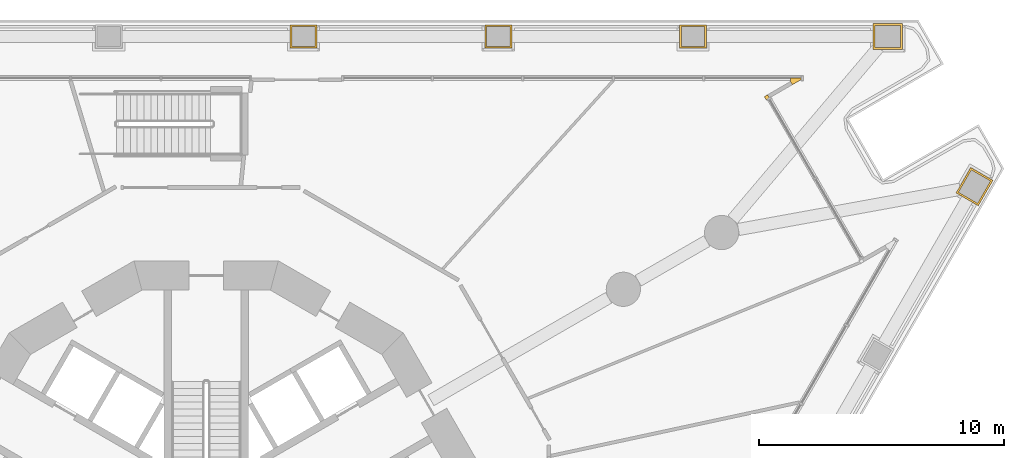
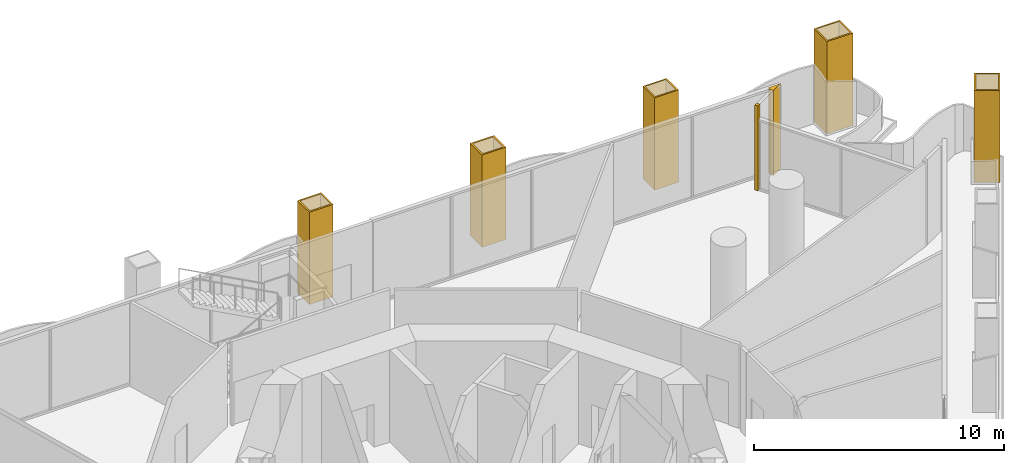
# One storey, part 21 of 21: 7 coverings.
"""IFC4 building model written with IfcOpenShell, lengths in metres."""

from ifc_helpers import new_model, si_unit, direction, frame, origin, place, context, subcontext, project, spatial, polyline, outline, extrude, material, layer, layer_set, type_object, element, save


model = new_model("IFC4")

# Units and contexts
model_context = context("Model", 3, precision=1e-05, world=origin(), true_north=direction((0.0, 1.0)))
body_context = subcontext(model_context, "Body", "Model", "MODEL_VIEW")
ifc_project = project(units=[si_unit("LENGTHUNIT", "METRE"), si_unit("AREAUNIT", "SQUARE_METRE"), si_unit("VOLUMEUNIT", "CUBIC_METRE"), si_unit("PLANEANGLEUNIT", "RADIAN"), si_unit("MASSUNIT", "GRAM", prefix="KILO")], contexts=[model_context])

# Site, building, storey
site_placement = place(None, origin())
site = spatial("IfcSite", under=ifc_project, at=site_placement, CompositionType="ELEMENT")
building_placement = place(site_placement, origin())
building = spatial("IfcBuilding", under=site, at=building_placement, Name="Trine Commons Tower", CompositionType="ELEMENT")
storey_placement = place(building_placement, frame((0.0, 0.0, 13.5)))
storey = spatial("IfcBuildingStorey", under=building, at=storey_placement, Name="L02", CompositionType="ELEMENT", Elevation=13.5)

# Coverings
ifc_material_1 = material(Name="Aluminium-framed insulated wall panel", Category="aluminium")
ifc_layer_1 = layer(ifc_material_1, 0.14990234375)
ifc_layer_set_1 = layer_set([ifc_layer_1], Name="Aluminium-framed insulated wall panel")
covering_type_1 = type_object("IfcCoveringType", Name="Glazing corner post, aluminium", PredefinedType="CLADDING", material=ifc_layer_set_1)
covering_1_placement = place(storey_placement, origin())
element("IfcCovering", 1, at=covering_1_placement, inside=storey, type_object=covering_type_1, Name="Glazing corner post 1-05", PredefinedType="CLADDING", context=body_context, shape_type="SweptSolid", body=[
    extrude(outline(polyline([(103.96875, 80.714599609375), (104.45361328125, 80.99462890625), (103.893798828125, 80.99462890625), (103.893798828125, 80.844482421875), (103.96875, 80.714599609375)])), origin(), (0.0, 0.0, 1.0), 4.14990234375),
])
covering_2_placement = place(storey_placement, origin())
element("IfcCovering", 2, at=covering_2_placement, inside=storey, type_object=covering_type_1, Name="Glazing corner post 1-06", PredefinedType="CLADDING", context=body_context, shape_type="SweptSolid", body=[
    extrude(outline(polyline([(102.898681640625, 80.0966796875), (103.028564453125, 80.171875), (102.95361328125, 80.3017578125), (102.823486328125, 80.226806640625), (102.898681640625, 80.0966796875)])), origin(), (0.0, 0.0, 1.0), 4.14990234375),
])
ifc_material_2 = material(Name="Limestone, honed", Category="masonry")
ifc_layer_2 = layer(ifc_material_2, 0.074951171875)
ifc_layer_set_2 = layer_set([ifc_layer_2], Name="Limestone, honed")
covering_type_2 = type_object("IfcCoveringType", Name="Limestone column cladding 75", PredefinedType="CLADDING", material=ifc_layer_set_2)
covering_3_placement = place(storey_placement, origin())
element("IfcCovering", 3, at=covering_3_placement, inside=storey, type_object=covering_type_2, Name="Limestone pier cladding 1-13", PredefinedType="CLADDING", context=body_context, shape_type="SweptSolid", body=[
    extrude(outline(polyline([(84.53173828125, 82.209716796875), (84.53173828125, 83.15966796875), (83.431640625, 83.15966796875), (83.431640625, 82.209716796875), (84.53173828125, 82.209716796875)]), holes=[polyline([(84.456787109375, 82.28466796875), (84.456787109375, 83.084716796875), (83.506591796875, 83.084716796875), (83.506591796875, 82.28466796875), (84.456787109375, 82.28466796875)])]), origin(), (0.0, 0.0, 1.0), 4.5),
])
covering_4_placement = place(storey_placement, origin())
element("IfcCovering", 4, at=covering_4_placement, inside=storey, type_object=covering_type_2, Name="Limestone pier cladding 1-14", PredefinedType="CLADDING", context=body_context, shape_type="SweptSolid", body=[
    extrude(outline(polyline([(92.4951171875, 82.209716796875), (92.4951171875, 83.15966796875), (91.39501953125, 83.15966796875), (91.39501953125, 82.209716796875), (92.4951171875, 82.209716796875)]), holes=[polyline([(92.420166015625, 82.28466796875), (92.420166015625, 83.084716796875), (91.47021484375, 83.084716796875), (91.47021484375, 82.28466796875), (92.420166015625, 82.28466796875)])]), origin(), (0.0, 0.0, 1.0), 4.5),
])
covering_5_placement = place(storey_placement, origin())
element("IfcCovering", 5, at=covering_5_placement, inside=storey, type_object=covering_type_2, Name="Limestone pier cladding 1-15", PredefinedType="CLADDING", context=body_context, shape_type="SweptSolid", body=[
    extrude(outline(polyline([(100.45849609375, 82.209716796875), (100.45849609375, 83.15966796875), (99.3583984375, 83.15966796875), (99.3583984375, 82.209716796875), (100.45849609375, 82.209716796875)]), holes=[polyline([(100.38330078125, 82.28466796875), (100.38330078125, 83.084716796875), (99.433349609375, 83.084716796875), (99.433349609375, 82.28466796875), (100.38330078125, 82.28466796875)])]), origin(), (0.0, 0.0, 1.0), 4.5),
])
covering_6_placement = place(storey_placement, origin())
element("IfcCovering", 6, at=covering_6_placement, inside=storey, type_object=covering_type_2, Name="Limestone pier cladding 1-16", PredefinedType="CLADDING", context=body_context, shape_type="SweptSolid", body=[
    extrude(outline(polyline([(108.4716796875, 82.15966796875), (108.4716796875, 83.209716796875), (107.271728515625, 83.209716796875), (107.271728515625, 82.15966796875), (108.4716796875, 82.15966796875)]), holes=[polyline([(108.396728515625, 82.234619140625), (108.396728515625, 83.134521484375), (107.3466796875, 83.134521484375), (107.3466796875, 82.234619140625), (108.396728515625, 82.234619140625)])]), origin(), (0.0, 0.0, 1.0), 4.5),
])
covering_7_placement = place(storey_placement, origin())
element("IfcCovering", 7, at=covering_7_placement, inside=storey, type_object=covering_type_2, Name="Limestone pier cladding 1-17", PredefinedType="CLADDING", context=body_context, shape_type="SweptSolid", body=[
    extrude(outline(polyline([(112.1708984375, 76.802490234375), (111.26171875, 77.327392578125), (110.66162109375, 76.288330078125), (111.571044921875, 75.76318359375), (112.1708984375, 76.802490234375)]), holes=[polyline([(112.068603515625, 76.775146484375), (111.2890625, 77.22509765625), (110.76416015625, 76.315673828125), (111.54345703125, 75.86572265625), (112.068603515625, 76.775146484375)])]), origin(), (0.0, 0.0, 1.0), 4.5),
])

save(model, "model.ifc")
